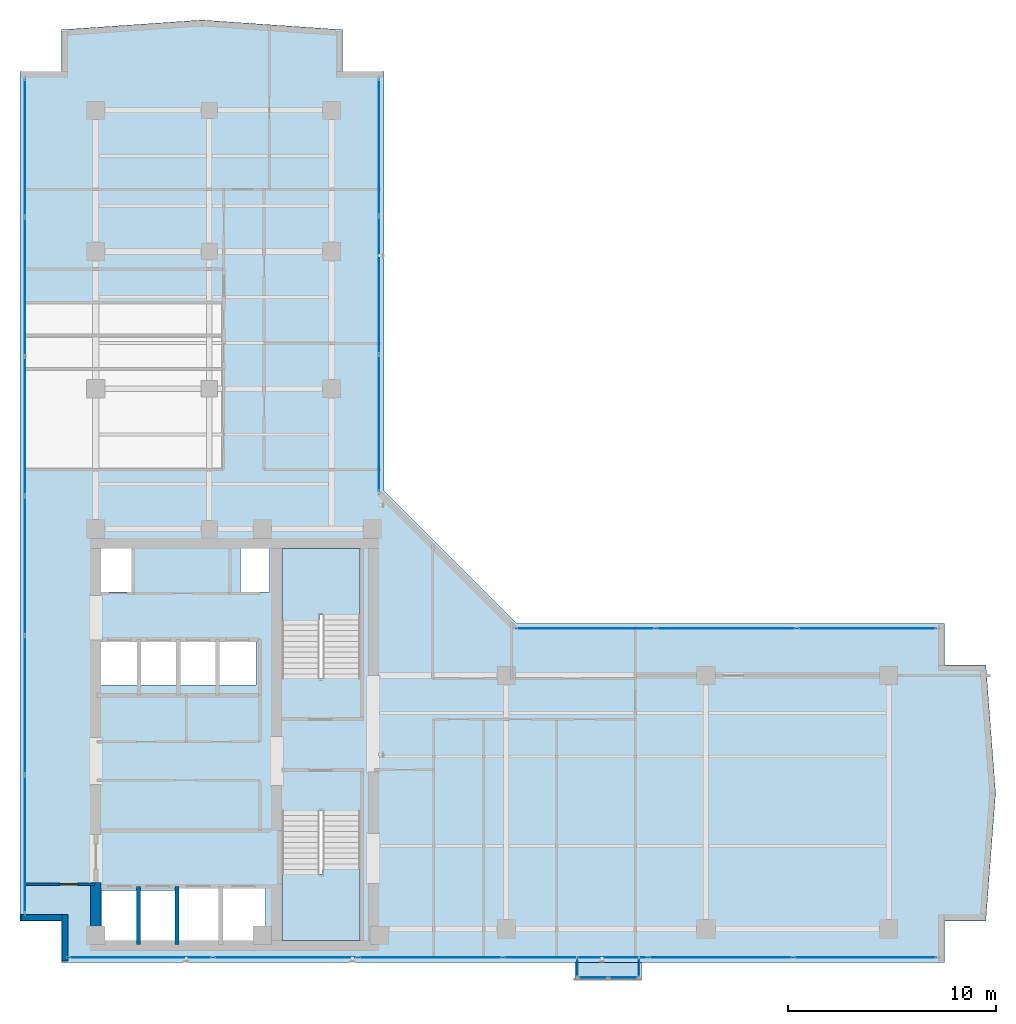
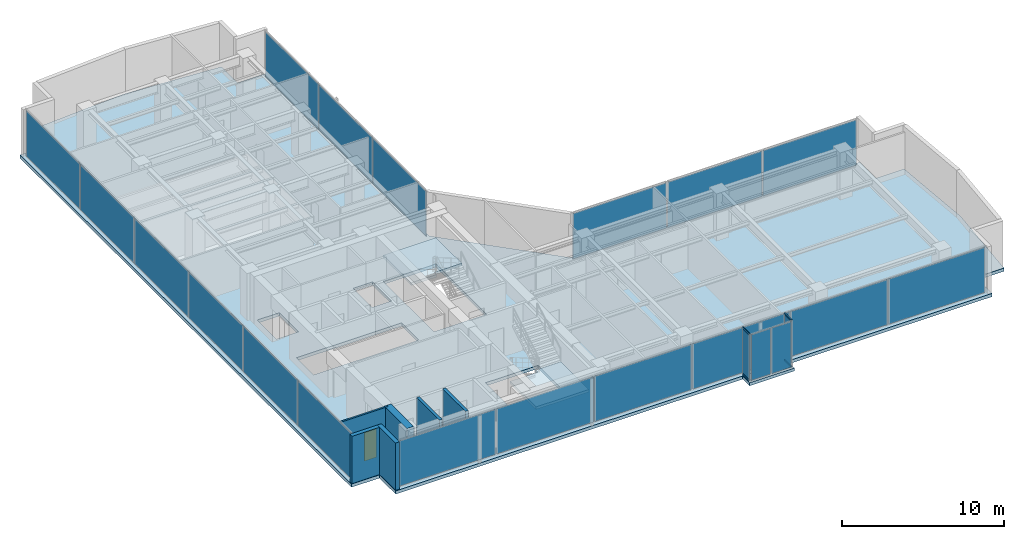
# One storey, part 16 of 23: 22 plates, 6 walls, 4 members, 4 slabs, 1 door, 1 opening, 9 elements without a shape of their own.
"""IFC4 building model written with IfcOpenShell, lengths in metres."""

from ifc_helpers import new_model, si_unit, direction, frame, frame_2d, origin, origin_with_axes, origin_2d, place, context, subcontext, project, spatial, polyline, rectangle, hollow_rectangle, outline, extrude, source, transform, mapped, material, layer, layer_set, material_profile, profile_set, type_object, element, fill, aggregate, save


model = new_model("IFC4")

# Units and contexts
model_context = context("Model", 3, precision=1e-05, world=origin(), true_north=direction((0.0, 1.0)))
body_context = subcontext(model_context, "Body", "Model", "MODEL_VIEW")
ifc_project = project(units=[si_unit("LENGTHUNIT", "METRE"), si_unit("AREAUNIT", "SQUARE_METRE"), si_unit("VOLUMEUNIT", "CUBIC_METRE"), si_unit("PLANEANGLEUNIT", "RADIAN"), si_unit("MASSUNIT", "GRAM", prefix="KILO")], contexts=[model_context])

# Site, building, storey
site_placement = place(None, origin())
site = spatial("IfcSite", under=ifc_project, at=site_placement, CompositionType="ELEMENT")
building_placement = place(site_placement, origin())
building = spatial("IfcBuilding", under=site, at=building_placement, Name="Kolvaren Waterfront Exchange", CompositionType="ELEMENT")
storey_placement = place(building_placement, frame((0.0, 0.0, 297.0)))
storey = spatial("IfcBuildingStorey", under=building, at=storey_placement, Name="L76", CompositionType="ELEMENT", Elevation=297.0)

# Curtain wall, members
ifc_material_1 = material(Name="Anodised bronze aluminium 6063-T6", Category="aluminium")
ifc_layer_1 = layer(ifc_material_1, 0.219970703125, Name="Anodised bronze aluminium 6063-T6")
ifc_layer_set_1 = layer_set([ifc_layer_1], Name="Anodised bronze aluminium 6063-T6")
curtain_wall_type_1 = type_object("IfcCurtainWallType", Name="ARC-CW-SYS3", PredefinedType="USERDEFINED", material=ifc_layer_set_1)
curtain_wall_1_placement = place(storey_placement, origin())
curtain_wall_1 = element("IfcCurtainWall", 1, at=curtain_wall_1_placement, inside=storey, type_object=curtain_wall_type_1, Name="L76 stick curtain wall CW3 (CW-L76-BOX-W)", ObjectType="STICK CURTAIN WALL", PredefinedType="USERDEFINED")
ifc_material_profile = material_profile(ifc_material_1, hollow_rectangle(XDim=0.06494140625, YDim=0.1298828125, WallThickness=0.00390625, at=origin_2d()), Name="ALU-TRN-130x65x4")
ifc_profile_set = profile_set([ifc_material_profile], Name="Anodised bronze aluminium 6063-T6")
member_type = type_object("IfcMemberType", Name="ARC-CWT-130", PredefinedType="USERDEFINED", material=ifc_profile_set)
shared_shape_1 = source(origin_with_axes(), body_context, "Body", "SweptSolid", [
    extrude(hollow_rectangle(XDim=0.06494140625, YDim=0.1298828125, WallThickness=0.00390625, at=origin_2d()), origin(), (0.0, 0.0, 1.0), 0.829833984375),
])
member_1_placement = place(storey_placement, frame((30.610107421875, 3.764892578125, 0.032470703125), z_axis=(0.0, -1.0, 0.0), x_axis=(1.0, 0.0, 0.0)))
member_1 = element("IfcMember", 2, at=member_1_placement, type_object=member_type, Name="CW3 transom 1.1", ObjectType="TRANSOM", PredefinedType="USERDEFINED", context=body_context, shape_type="MappedRepresentation", body=[
    mapped(shared_shape_1, transform((0.0, 0.0, 0.0), x_axis=(1.0, 0.0, 0.0), y_axis=(0.0, 1.0, 0.0), z_axis=(0.0, 0.0, 1.0), scale=1.0)),
])
member_2_placement = place(storey_placement, frame((30.610107421875, 3.764892578125, 3.527587890625), z_axis=(0.0, -1.0, 0.0), x_axis=(1.0, 0.0, 0.0)))
member_2 = element("IfcMember", 3, at=member_2_placement, type_object=member_type, Name="CW3 transom 1.2", ObjectType="TRANSOM", PredefinedType="USERDEFINED", context=body_context, shape_type="MappedRepresentation", body=[
    mapped(shared_shape_1, transform((0.0, 0.0, 0.0), x_axis=(1.0, 0.0, 0.0), y_axis=(0.0, 1.0, 0.0), z_axis=(0.0, 0.0, 1.0), scale=1.0)),
])

curtain_wall_2_placement = place(storey_placement, origin())
curtain_wall_2 = element("IfcCurtainWall", 4, at=curtain_wall_2_placement, inside=storey, type_object=curtain_wall_type_1, Name="L76 stick curtain wall CW3 (CW-L76-BOX-E)", ObjectType="STICK CURTAIN WALL", PredefinedType="USERDEFINED")
member_3_placement = place(storey_placement, frame((33.590087890625, 2.93505859375, 0.032470703125), z_axis=(0.0, 1.0, 0.0), x_axis=(-1.0, 0.0, 0.0)))
member_3 = element("IfcMember", 5, at=member_3_placement, type_object=member_type, Name="CW3 transom 1.1", ObjectType="TRANSOM", PredefinedType="USERDEFINED", context=body_context, shape_type="MappedRepresentation", body=[
    mapped(shared_shape_1, transform((0.0, 0.0, 0.0), x_axis=(1.0, 0.0, 0.0), y_axis=(0.0, 1.0, 0.0), z_axis=(0.0, 0.0, 1.0), scale=1.0)),
])
member_4_placement = place(storey_placement, frame((33.590087890625, 2.93505859375, 3.527587890625), z_axis=(0.0, 1.0, 0.0), x_axis=(-1.0, 0.0, 0.0)))
member_4 = element("IfcMember", 6, at=member_4_placement, type_object=member_type, Name="CW3 transom 1.2", ObjectType="TRANSOM", PredefinedType="USERDEFINED", context=body_context, shape_type="MappedRepresentation", body=[
    mapped(shared_shape_1, transform((0.0, 0.0, 0.0), x_axis=(1.0, 0.0, 0.0), y_axis=(0.0, 1.0, 0.0), z_axis=(0.0, 0.0, 1.0), scale=1.0)),
])

# Stair, slab
ifc_material_2 = material(Name="Concrete C40/50", Category="concrete")
stair_type = type_object("IfcStairType", Name="ARC-STAIR-3800", PredefinedType="HALF_TURN_STAIR", material=ifc_material_2)
stair_1_placement = place(storey_placement, origin())
stair_1 = element("IfcStair", 7, at=stair_1_placement, inside=storey, type_object=stair_type, Name="L76 Smoke-proof exit stair ST1", PredefinedType="HALF_TURN_STAIR")
ifc_layer_2 = layer(ifc_material_2, 0.199951171875, Name="Concrete C40/50")
ifc_layer_set_2 = layer_set([ifc_layer_2], Name="Concrete C40/50")
slab_type_1 = type_object("IfcSlabType", Name="STR-LANDING-200", PredefinedType="LANDING", material=ifc_layer_set_2)
slab_1_placement = place(storey_placement, frame((0.0, 0.0, 1.77587890625)))
slab_1 = element("IfcSlab", 8, at=slab_1_placement, type_object=slab_type_1, Name="ST1 landing 1", PredefinedType="LANDING", context=body_context, shape_type="SweptSolid", body=[
    extrude(outline(polyline([(16.39990234375, 7.840087890625), (16.39990234375, 4.64990234375), (20.159912109375, 4.64990234375), (20.159912109375, 8.10009765625), (18.360107421875, 8.10009765625), (18.360107421875, 7.840087890625), (16.39990234375, 7.840087890625)])), origin(), (0.0, 0.0, 1.0), 0.2001953125),
])
aggregate(stair_1, [slab_1])

stair_2_placement = place(storey_placement, origin())
stair_2 = element("IfcStair", 9, at=stair_2_placement, inside=storey, type_object=stair_type, Name="L76 Smoke-proof exit stair ST2", PredefinedType="HALF_TURN_STAIR")
slab_2_placement = place(storey_placement, frame((0.0, 0.0, 1.77587890625)))
slab_2 = element("IfcSlab", 10, at=slab_2_placement, type_object=slab_type_1, Name="ST2 landing 1", PredefinedType="LANDING", context=body_context, shape_type="SweptSolid", body=[
    extrude(outline(polyline([(20.159912109375, 20.31005859375), (20.159912109375, 23.5), (16.39990234375, 23.5), (16.39990234375, 20.050048828125), (18.199951171875, 20.050048828125), (18.199951171875, 20.31005859375), (20.159912109375, 20.31005859375)])), origin(), (0.0, 0.0, 1.0), 0.2001953125),
])
aggregate(stair_2, [slab_2])

# Slabs
ifc_layer_3 = layer(ifc_material_2, 0.239990234375, Name="Concrete C40/50")
ifc_layer_set_3 = layer_set([ifc_layer_3], Name="Concrete C40/50")
slab_type_2 = type_object("IfcSlabType", Name="STR-SLAB-240", PredefinedType="FLOOR", material=ifc_layer_set_3)
slab_3_placement = place(storey_placement, frame((0.0, 0.0, -0.239990234375)))
element("IfcSlab", 11, at=slab_3_placement, inside=storey, type_object=slab_type_2, Name="L76 structural floor slab", PredefinedType="FLOOR", context=body_context, shape_type="SweptSolid", body=[
    extrude(outline(polyline([(5.800048828125, 3.60009765625), (48.268310546875, 3.60009765625), (48.268310546875, 5.60009765625), (50.268310546875, 5.60009765625), (50.73681640625, 11.752685546875), (50.268310546875, 17.9052734375), (48.268310546875, 17.9052734375), (48.268310546875, 19.9052734375), (27.705322265625, 19.9052734375), (21.305419921875, 26.305419921875), (21.305419921875, 46.468505859375), (19.305419921875, 46.468505859375), (19.305419921875, 48.468505859375), (12.552490234375, 48.936767578125), (5.800048828125, 48.468505859375), (5.800048828125, 46.468505859375), (3.800048828125, 46.468505859375), (3.800048828125, 5.60009765625), (5.800048828125, 5.60009765625), (5.800048828125, 3.60009765625)]), holes=[polyline([(11.320068359375, 7.260009765625), (15.610107421875, 7.260009765625), (15.610107421875, 4.5400390625), (7.719970703125, 4.5400390625), (7.719970703125, 7.06005859375), (11.320068359375, 7.06005859375), (11.320068359375, 7.260009765625)]), polyline([(20.159912109375, 10.89990234375), (20.159912109375, 4.64990234375), (16.39990234375, 4.64990234375), (16.39990234375, 10.89990234375), (20.159912109375, 10.89990234375)]), polyline([(7.669921875, 19.06005859375), (15.159912109375, 19.06005859375), (15.159912109375, 16.93994140625), (7.669921875, 16.93994140625), (7.669921875, 19.06005859375)]), polyline([(16.39990234375, 17.25), (16.39990234375, 23.5), (20.159912109375, 23.5), (20.159912109375, 17.25), (16.39990234375, 17.25)]), polyline([(7.60009765625, 23.780029296875), (9.179931640625, 23.780029296875), (9.179931640625, 21.419921875), (7.60009765625, 21.419921875), (7.60009765625, 23.780029296875)]), polyline([(14.419921875, 23.780029296875), (15.800048828125, 23.780029296875), (15.800048828125, 21.419921875), (14.419921875, 21.419921875), (14.419921875, 23.780029296875)])]), origin(), (0.0, 0.0, 1.0), 0.239990234375),
])
ifc_layer_4 = layer(ifc_material_2, 0.219970703125, Name="Concrete C40/50")
ifc_layer_set_4 = layer_set([ifc_layer_4], Name="Concrete C40/50")
slab_type_3 = type_object("IfcSlabType", Name="STR-TERR-220", PredefinedType="FLOOR", material=ifc_layer_set_4)
slab_4_placement = place(storey_placement, frame((0.0, 0.0, -0.219970703125)))
element("IfcSlab", 12, at=slab_4_placement, inside=storey, type_object=slab_type_3, Name="L76 projecting bay-box floor strip", PredefinedType="FLOOR", context=body_context, shape_type="SweptSolid", body=[
    extrude(outline(polyline([(30.5, 2.75), (33.699951171875, 2.75), (33.699951171875, 3.60009765625), (30.5, 3.60009765625), (30.5, 2.75)])), origin(), (0.0, 0.0, 1.0), 0.219970703125),
])

# Plate
ifc_material_3 = material(Name="Bronze tinted bay-box vision glass", Category="aluminium")
ifc_layer_5 = layer(ifc_material_3, 0.02392578125, Name="Bronze tinted bay-box vision glass")
ifc_layer_set_5 = layer_set([ifc_layer_5], Name="Bronze tinted bay-box vision glass")
plate_type_1 = type_object("IfcPlateType", Name="ARC-CWP-24", PredefinedType="CURTAIN_PANEL", material=ifc_layer_set_5)
shared_shape_2 = source(origin_with_axes(), body_context, "Body", "SweptSolid", [
    extrude(rectangle(XDim=0.830078125, YDim=0.02392578125, at=origin_2d()), origin(), (0.0, 0.0, 1.0), 3.429931640625),
])
plate_1_placement = place(storey_placement, frame((30.610107421875, 3.35009765625, 0.06494140625), z_axis=(0.0, 0.0, 1.0), x_axis=(0.0, -1.0, 0.0)))
plate_1 = element("IfcPlate", 13, at=plate_1_placement, type_object=plate_type_1, Name="CW3 panel 1.1", PredefinedType="CURTAIN_PANEL", context=body_context, shape_type="MappedRepresentation", body=[
    mapped(shared_shape_2, transform((0.0, 0.0, 0.0), x_axis=(1.0, 0.0, 0.0), y_axis=(0.0, 1.0, 0.0), z_axis=(0.0, 0.0, 1.0), scale=1.0)),
])

aggregate(curtain_wall_1, [member_1, member_2, plate_1])

plate_2_placement = place(storey_placement, frame((33.590087890625, 3.35009765625, 0.06494140625), z_axis=(0.0, 0.0, 1.0), x_axis=(0.0, 1.0, 0.0)))
plate_2 = element("IfcPlate", 14, at=plate_2_placement, type_object=plate_type_1, Name="CW3 panel 1.1", PredefinedType="CURTAIN_PANEL", context=body_context, shape_type="MappedRepresentation", body=[
    mapped(shared_shape_2, transform((0.0, 0.0, 0.0), x_axis=(1.0, 0.0, 0.0), y_axis=(0.0, 1.0, 0.0), z_axis=(0.0, 0.0, 1.0), scale=1.0)),
])

aggregate(curtain_wall_2, [member_3, member_4, plate_2])

# Curtain wall, plates
curtain_wall_3_placement = place(storey_placement, origin())
curtain_wall_3 = element("IfcCurtainWall", 15, at=curtain_wall_3_placement, inside=storey, type_object=curtain_wall_type_1, Name="L76 stick curtain wall CW3 (CW-L76-BOX)", ObjectType="STICK CURTAIN WALL", PredefinedType="USERDEFINED")
shared_shape_3 = source(origin_with_axes(), body_context, "Body", "SweptSolid", [
    extrude(rectangle(XDim=1.37744140625, YDim=0.02392578125, at=origin_2d()), origin(), (0.0, 0.0, 1.0), 3.429931640625),
])
plate_3_placement = place(storey_placement, frame((31.373779296875, 2.860107421875, 0.06494140625), z_axis=(0.0, 0.0, 1.0), x_axis=(1.0, 0.0, 0.0)))
plate_3 = element("IfcPlate", 16, at=plate_3_placement, type_object=plate_type_1, Name="CW3 panel 1.1", PredefinedType="CURTAIN_PANEL", context=body_context, shape_type="MappedRepresentation", body=[
    mapped(shared_shape_3, transform((0.0, 0.0, 0.0), x_axis=(1.0, 0.0, 0.0), y_axis=(0.0, 1.0, 0.0), z_axis=(0.0, 0.0, 1.0), scale=1.0)),
])
plate_4_placement = place(storey_placement, frame((32.826171875, 2.860107421875, 0.06494140625), z_axis=(0.0, 0.0, 1.0), x_axis=(1.0, 0.0, 0.0)))
plate_4 = element("IfcPlate", 17, at=plate_4_placement, type_object=plate_type_1, Name="CW3 panel 2.1", PredefinedType="CURTAIN_PANEL", context=body_context, shape_type="MappedRepresentation", body=[
    mapped(shared_shape_3, transform((0.0, 0.0, 0.0), x_axis=(1.0, 0.0, 0.0), y_axis=(0.0, 1.0, 0.0), z_axis=(0.0, 0.0, 1.0), scale=1.0)),
])
aggregate(curtain_wall_3, [plate_3, plate_4])

ifc_layer_6 = layer(ifc_material_1, 0.219970703125, Name="Anodised bronze aluminium 6063-T6")
ifc_layer_set_6 = layer_set([ifc_layer_6], Name="Anodised bronze aluminium 6063-T6")
curtain_wall_type_2 = type_object("IfcCurtainWallType", Name="ARC-CW-SYS1", PredefinedType="USERDEFINED", material=ifc_layer_set_6)
curtain_wall_4_placement = place(storey_placement, origin())
curtain_wall_4 = element("IfcCurtainWall", 18, at=curtain_wall_4_placement, inside=storey, type_object=curtain_wall_type_2, Name="L76 stick curtain wall CW1 (CW-L76-S)", ObjectType="STICK CURTAIN WALL", PredefinedType="USERDEFINED")
ifc_material_4 = material(Name="Bronze solar control vision glass", Category="aluminium")
ifc_layer_7 = layer(ifc_material_4, 0.028076171875, Name="Bronze solar control vision glass")
ifc_layer_set_7 = layer_set([ifc_layer_7], Name="Bronze solar control vision glass")
plate_type_2 = type_object("IfcPlateType", Name="ARC-CWP-28", PredefinedType="CURTAIN_PANEL", material=ifc_layer_set_7)
shared_shape_4 = source(origin_with_axes(), body_context, "Body", "SweptSolid", [
    extrude(rectangle(XDim=6.858154296875, YDim=0.028076171875, at=origin_2d()), origin(), (0.0, 0.0, 1.0), 3.409912109375),
])
plate_5_placement = place(storey_placement, frame((9.609130859375, 3.840087890625, 0.0751953125), z_axis=(0.0, 0.0, 1.0), x_axis=(1.0, 0.0, 0.0)))
plate_5 = element("IfcPlate", 19, at=plate_5_placement, type_object=plate_type_2, Name="CW1 panel 1.1", PredefinedType="CURTAIN_PANEL", context=body_context, shape_type="MappedRepresentation", body=[
    mapped(shared_shape_4, transform((0.0, 0.0, 0.0), x_axis=(1.0, 0.0, 0.0), y_axis=(0.0, 1.0, 0.0), z_axis=(0.0, 0.0, 1.0), scale=1.0)),
])
plate_6_placement = place(storey_placement, frame((44.45947265625, 3.840087890625, 0.0751953125), z_axis=(0.0, 0.0, 1.0), x_axis=(1.0, 0.0, 0.0)))
plate_6 = element("IfcPlate", 20, at=plate_6_placement, type_object=plate_type_2, Name="CW1 panel 6.1", PredefinedType="CURTAIN_PANEL", context=body_context, shape_type="MappedRepresentation", body=[
    mapped(shared_shape_4, transform((0.0, 0.0, 0.0), x_axis=(1.0, 0.0, 0.0), y_axis=(0.0, 1.0, 0.0), z_axis=(0.0, 0.0, 1.0), scale=1.0)),
])
shared_shape_5 = source(origin_with_axes(), body_context, "Body", "SweptSolid", [
    extrude(rectangle(XDim=6.89794921875, YDim=0.028076171875, at=origin_2d()), origin(), (0.0, 0.0, 1.0), 3.409912109375),
])
plate_7_placement = place(storey_placement, frame((16.567138671875, 3.840087890625, 0.0751953125), z_axis=(0.0, 0.0, 1.0), x_axis=(1.0, 0.0, 0.0)))
plate_7 = element("IfcPlate", 21, at=plate_7_placement, type_object=plate_type_2, Name="CW1 panel 2.1", PredefinedType="CURTAIN_PANEL", context=body_context, shape_type="MappedRepresentation", body=[
    mapped(shared_shape_5, transform((0.0, 0.0, 0.0), x_axis=(1.0, 0.0, 0.0), y_axis=(0.0, 1.0, 0.0), z_axis=(0.0, 0.0, 1.0), scale=1.0)),
])
plate_8_placement = place(storey_placement, frame((23.545166015625, 3.840087890625, 0.0751953125), z_axis=(0.0, 0.0, 1.0), x_axis=(1.0, 0.0, 0.0)))
plate_8 = element("IfcPlate", 22, at=plate_8_placement, type_object=plate_type_2, Name="CW1 panel 3.1", PredefinedType="CURTAIN_PANEL", context=body_context, shape_type="MappedRepresentation", body=[
    mapped(shared_shape_5, transform((0.0, 0.0, 0.0), x_axis=(1.0, 0.0, 0.0), y_axis=(0.0, 1.0, 0.0), z_axis=(0.0, 0.0, 1.0), scale=1.0)),
])
plate_9_placement = place(storey_placement, frame((30.523193359375, 3.840087890625, 0.0751953125), z_axis=(0.0, 0.0, 1.0), x_axis=(1.0, 0.0, 0.0)))
plate_9 = element("IfcPlate", 23, at=plate_9_placement, type_object=plate_type_2, Name="CW1 panel 4.1", PredefinedType="CURTAIN_PANEL", context=body_context, shape_type="MappedRepresentation", body=[
    mapped(shared_shape_5, transform((0.0, 0.0, 0.0), x_axis=(1.0, 0.0, 0.0), y_axis=(0.0, 1.0, 0.0), z_axis=(0.0, 0.0, 1.0), scale=1.0)),
])
plate_10_placement = place(storey_placement, frame((37.501220703125, 3.840087890625, 0.0751953125), z_axis=(0.0, 0.0, 1.0), x_axis=(1.0, 0.0, 0.0)))
plate_10 = element("IfcPlate", 24, at=plate_10_placement, type_object=plate_type_2, Name="CW1 panel 5.1", PredefinedType="CURTAIN_PANEL", context=body_context, shape_type="MappedRepresentation", body=[
    mapped(shared_shape_5, transform((0.0, 0.0, 0.0), x_axis=(1.0, 0.0, 0.0), y_axis=(0.0, 1.0, 0.0), z_axis=(0.0, 0.0, 1.0), scale=1.0)),
])
aggregate(curtain_wall_4, [plate_5, plate_7, plate_8, plate_9, plate_10, plate_6])

ifc_material_5 = material(Name="Anodised aluminium 6063-T6", Category="aluminium")
ifc_layer_8 = layer(ifc_material_5, 0.219970703125, Name="Anodised aluminium 6063-T6")
ifc_layer_set_8 = layer_set([ifc_layer_8], Name="Anodised aluminium 6063-T6")
curtain_wall_type_3 = type_object("IfcCurtainWallType", Name="ARC-CW-SYS2", PredefinedType="USERDEFINED", material=ifc_layer_set_8)
curtain_wall_5_placement = place(storey_placement, origin())
curtain_wall_5 = element("IfcCurtainWall", 25, at=curtain_wall_5_placement, inside=storey, type_object=curtain_wall_type_3, Name="L76 stick curtain wall CW2 (CW-L76-W)", ObjectType="STICK CURTAIN WALL", PredefinedType="USERDEFINED")
ifc_material_6 = material(Name="Acoustic laminated vision glass", Category="glass")
ifc_layer_9 = layer(ifc_material_6, 0.031982421875, Name="Acoustic laminated vision glass")
ifc_layer_set_9 = layer_set([ifc_layer_9], Name="Acoustic laminated vision glass")
plate_type_3 = type_object("IfcPlateType", Name="ARC-CWP-32", PredefinedType="CURTAIN_PANEL", material=ifc_layer_set_9)
shared_shape_6 = source(origin_with_axes(), body_context, "Body", "SweptSolid", [
    extrude(rectangle(XDim=6.59130859375, YDim=0.031982421875, at=origin_2d()), origin(), (0.0, 0.0, 1.0), 3.409912109375),
])
plate_11_placement = place(storey_placement, frame((4.0400390625, 9.275634765625, 0.0751953125), z_axis=(0.0, 0.0, 1.0), x_axis=(0.0, 1.0, 0.0)))
plate_11 = element("IfcPlate", 26, at=plate_11_placement, type_object=plate_type_3, Name="CW2 panel 1.1", PredefinedType="CURTAIN_PANEL", context=body_context, shape_type="MappedRepresentation", body=[
    mapped(shared_shape_6, transform((0.0, 0.0, 0.0), x_axis=(1.0, 0.0, 0.0), y_axis=(0.0, 1.0, 0.0), z_axis=(0.0, 0.0, 1.0), scale=1.0)),
])
plate_12_placement = place(storey_placement, frame((4.0400390625, 42.792724609375, 0.0751953125), z_axis=(0.0, 0.0, 1.0), x_axis=(0.0, 1.0, 0.0)))
plate_12 = element("IfcPlate", 27, at=plate_12_placement, type_object=plate_type_3, Name="CW2 panel 6.1", PredefinedType="CURTAIN_PANEL", context=body_context, shape_type="MappedRepresentation", body=[
    mapped(shared_shape_6, transform((0.0, 0.0, 0.0), x_axis=(1.0, 0.0, 0.0), y_axis=(0.0, 1.0, 0.0), z_axis=(0.0, 0.0, 1.0), scale=1.0)),
])
shared_shape_7 = source(origin_with_axes(), body_context, "Body", "SweptSolid", [
    extrude(rectangle(XDim=6.63134765625, YDim=0.031982421875, at=origin_2d()), origin(), (0.0, 0.0, 1.0), 3.409912109375),
])
plate_13_placement = place(storey_placement, frame((4.0400390625, 15.967041015625, 0.0751953125), z_axis=(0.0, 0.0, 1.0), x_axis=(0.0, 1.0, 0.0)))
plate_13 = element("IfcPlate", 28, at=plate_13_placement, type_object=plate_type_3, Name="CW2 panel 2.1", PredefinedType="CURTAIN_PANEL", context=body_context, shape_type="MappedRepresentation", body=[
    mapped(shared_shape_7, transform((0.0, 0.0, 0.0), x_axis=(1.0, 0.0, 0.0), y_axis=(0.0, 1.0, 0.0), z_axis=(0.0, 0.0, 1.0), scale=1.0)),
])
plate_14_placement = place(storey_placement, frame((4.0400390625, 22.678466796875, 0.0751953125), z_axis=(0.0, 0.0, 1.0), x_axis=(0.0, 1.0, 0.0)))
plate_14 = element("IfcPlate", 29, at=plate_14_placement, type_object=plate_type_3, Name="CW2 panel 3.1", PredefinedType="CURTAIN_PANEL", context=body_context, shape_type="MappedRepresentation", body=[
    mapped(shared_shape_7, transform((0.0, 0.0, 0.0), x_axis=(1.0, 0.0, 0.0), y_axis=(0.0, 1.0, 0.0), z_axis=(0.0, 0.0, 1.0), scale=1.0)),
])
plate_15_placement = place(storey_placement, frame((4.0400390625, 29.389892578125, 0.0751953125), z_axis=(0.0, 0.0, 1.0), x_axis=(0.0, 1.0, 0.0)))
plate_15 = element("IfcPlate", 30, at=plate_15_placement, type_object=plate_type_3, Name="CW2 panel 4.1", PredefinedType="CURTAIN_PANEL", context=body_context, shape_type="MappedRepresentation", body=[
    mapped(shared_shape_7, transform((0.0, 0.0, 0.0), x_axis=(1.0, 0.0, 0.0), y_axis=(0.0, 1.0, 0.0), z_axis=(0.0, 0.0, 1.0), scale=1.0)),
])
plate_16_placement = place(storey_placement, frame((4.0400390625, 36.101318359375, 0.0751953125), z_axis=(0.0, 0.0, 1.0), x_axis=(0.0, 1.0, 0.0)))
plate_16 = element("IfcPlate", 31, at=plate_16_placement, type_object=plate_type_3, Name="CW2 panel 5.1", PredefinedType="CURTAIN_PANEL", context=body_context, shape_type="MappedRepresentation", body=[
    mapped(shared_shape_7, transform((0.0, 0.0, 0.0), x_axis=(1.0, 0.0, 0.0), y_axis=(0.0, 1.0, 0.0), z_axis=(0.0, 0.0, 1.0), scale=1.0)),
])
aggregate(curtain_wall_5, [plate_11, plate_13, plate_14, plate_15, plate_16, plate_12])

curtain_wall_6_placement = place(storey_placement, origin())
curtain_wall_6 = element("IfcCurtainWall", 32, at=curtain_wall_6_placement, inside=storey, type_object=curtain_wall_type_2, Name="L76 stick curtain wall CW1 (CW-L76-NE)", ObjectType="STICK CURTAIN WALL", PredefinedType="USERDEFINED")
shared_shape_8 = source(origin_with_axes(), body_context, "Body", "SweptSolid", [
    extrude(rectangle(XDim=6.53759765625, YDim=0.028076171875, at=origin_2d()), origin(), (0.0, 0.0, 1.0), 3.409912109375),
])
plate_17_placement = place(storey_placement, frame((21.065185546875, 29.544189453125, 0.0751953125), z_axis=(0.0, 0.0, 1.0), x_axis=(0.0, 1.0, 0.0)))
plate_17 = element("IfcPlate", 33, at=plate_17_placement, type_object=plate_type_2, Name="CW1 panel 1.1", PredefinedType="CURTAIN_PANEL", context=body_context, shape_type="MappedRepresentation", body=[
    mapped(shared_shape_8, transform((0.0, 0.0, 0.0), x_axis=(1.0, 0.0, 0.0), y_axis=(0.0, 1.0, 0.0), z_axis=(0.0, 0.0, 1.0), scale=1.0)),
])
plate_18_placement = place(storey_placement, frame((21.065185546875, 42.819580078125, 0.0751953125), z_axis=(0.0, 0.0, 1.0), x_axis=(0.0, 1.0, 0.0)))
plate_18 = element("IfcPlate", 34, at=plate_18_placement, type_object=plate_type_2, Name="CW1 panel 3.1", PredefinedType="CURTAIN_PANEL", context=body_context, shape_type="MappedRepresentation", body=[
    mapped(shared_shape_8, transform((0.0, 0.0, 0.0), x_axis=(1.0, 0.0, 0.0), y_axis=(0.0, 1.0, 0.0), z_axis=(0.0, 0.0, 1.0), scale=1.0)),
])
shared_shape_9 = source(origin_with_axes(), body_context, "Body", "SweptSolid", [
    extrude(rectangle(XDim=6.57763671875, YDim=0.028076171875, at=origin_2d()), origin(), (0.0, 0.0, 1.0), 3.409912109375),
])
plate_19_placement = place(storey_placement, frame((21.065185546875, 36.181884765625, 0.0751953125), z_axis=(0.0, 0.0, 1.0), x_axis=(0.0, 1.0, 0.0)))
plate_19 = element("IfcPlate", 35, at=plate_19_placement, type_object=plate_type_2, Name="CW1 panel 2.1", PredefinedType="CURTAIN_PANEL", context=body_context, shape_type="MappedRepresentation", body=[
    mapped(shared_shape_9, transform((0.0, 0.0, 0.0), x_axis=(1.0, 0.0, 0.0), y_axis=(0.0, 1.0, 0.0), z_axis=(0.0, 0.0, 1.0), scale=1.0)),
])
aggregate(curtain_wall_6, [plate_17, plate_19, plate_18])

curtain_wall_7_placement = place(storey_placement, origin())
curtain_wall_7 = element("IfcCurtainWall", 36, at=curtain_wall_7_placement, inside=storey, type_object=curtain_wall_type_2, Name="L76 stick curtain wall CW1 (CW-L76-EN)", ObjectType="STICK CURTAIN WALL", PredefinedType="USERDEFINED")
shared_shape_10 = source(origin_with_axes(), body_context, "Body", "SweptSolid", [
    extrude(rectangle(XDim=6.671142578125, YDim=0.028076171875, at=origin_2d()), origin(), (0.0, 0.0, 1.0), 3.409912109375),
])
plate_20_placement = place(storey_placement, frame((31.0107421875, 19.665283203125, 0.0751953125), z_axis=(0.0, 0.0, 1.0), x_axis=(1.0, 0.0, 0.0)))
plate_20 = element("IfcPlate", 37, at=plate_20_placement, type_object=plate_type_2, Name="CW1 panel 1.1", PredefinedType="CURTAIN_PANEL", context=body_context, shape_type="MappedRepresentation", body=[
    mapped(shared_shape_10, transform((0.0, 0.0, 0.0), x_axis=(1.0, 0.0, 0.0), y_axis=(0.0, 1.0, 0.0), z_axis=(0.0, 0.0, 1.0), scale=1.0)),
])
plate_21_placement = place(storey_placement, frame((44.552978515625, 19.665283203125, 0.0751953125), z_axis=(0.0, 0.0, 1.0), x_axis=(1.0, 0.0, 0.0)))
plate_21 = element("IfcPlate", 38, at=plate_21_placement, type_object=plate_type_2, Name="CW1 panel 3.1", PredefinedType="CURTAIN_PANEL", context=body_context, shape_type="MappedRepresentation", body=[
    mapped(shared_shape_10, transform((0.0, 0.0, 0.0), x_axis=(1.0, 0.0, 0.0), y_axis=(0.0, 1.0, 0.0), z_axis=(0.0, 0.0, 1.0), scale=1.0)),
])
shared_shape_11 = source(origin_with_axes(), body_context, "Body", "SweptSolid", [
    extrude(rectangle(XDim=6.7109375, YDim=0.028076171875, at=origin_2d()), origin(), (0.0, 0.0, 1.0), 3.409912109375),
])
plate_22_placement = place(storey_placement, frame((37.78173828125, 19.665283203125, 0.0751953125), z_axis=(0.0, 0.0, 1.0), x_axis=(1.0, 0.0, 0.0)))
plate_22 = element("IfcPlate", 39, at=plate_22_placement, type_object=plate_type_2, Name="CW1 panel 2.1", PredefinedType="CURTAIN_PANEL", context=body_context, shape_type="MappedRepresentation", body=[
    mapped(shared_shape_11, transform((0.0, 0.0, 0.0), x_axis=(1.0, 0.0, 0.0), y_axis=(0.0, 1.0, 0.0), z_axis=(0.0, 0.0, 1.0), scale=1.0)),
])
aggregate(curtain_wall_7, [plate_20, plate_22, plate_21])

# Walls
ifc_material_7 = material(Name="Precast concrete C40/50", Category="concrete")
ifc_layer_10 = layer(ifc_material_7, 0.280029296875, Name="Precast concrete C40/50")
ifc_layer_set_10 = layer_set([ifc_layer_10], Name="Precast concrete C40/50")
wall_type_1 = type_object("IfcWallType", Name="ARC-EXT-TERR-280", PredefinedType="SOLIDWALL", material=ifc_layer_set_10)
wall_1_placement = place(storey_placement, frame((5.9599609375, 3.659912109375, 0.0), z_axis=(0.0, 0.0, 1.0), x_axis=(0.0, 1.0, 0.0)))
element("IfcWall", 40, at=wall_1_placement, inside=storey, type_object=wall_type_1, Name="L76 notched corner spandrel pier SW-A", PredefinedType="SOLIDWALL", context=body_context, shape_type="SweptSolid", body=[
    extrude(rectangle(XDim=2.239990234375, YDim=0.280029296875, at=frame_2d((1.1201171875, 0.0))), origin(), (0.0, 0.0, 1.0), 3.56005859375),
])
wall_2_placement = place(storey_placement, frame((3.860107421875, 5.760009765625, 0.0), z_axis=(0.0, 0.0, 1.0), x_axis=(1.0, 0.0, 0.0)))
element("IfcWall", 41, at=wall_2_placement, inside=storey, type_object=wall_type_1, Name="L76 notched corner spandrel pier SW-B", PredefinedType="SOLIDWALL", context=body_context, shape_type="SweptSolid", body=[
    extrude(rectangle(XDim=1.9599609375, YDim=0.280029296875, at=frame_2d((0.97998046875, 0.0))), origin(), (0.0, 0.0, 1.0), 3.56005859375),
])

# Wall, opening, door
ifc_material_8 = material(Name="Acoustic gypsum steel stud", Category="steel")
ifc_layer_11 = layer(ifc_material_8, 0.125, Name="Acoustic gypsum steel stud")
ifc_layer_set_11 = layer_set([ifc_layer_11], Name="Acoustic gypsum steel stud")
wall_type_2 = type_object("IfcWallType", Name="ARC-PART-125", PredefinedType="PARTITIONING", material=ifc_layer_set_11)
wall_3_placement = place(storey_placement, frame((4.0400390625, 7.35009765625, 0.0), z_axis=(0.0, 0.0, 1.0), x_axis=(1.0, 0.0, 0.0)))
wall_3 = element("IfcWall", 42, at=wall_3_placement, inside=storey, type_object=wall_type_2, Name="L76 interior wall PW-L76-SWC-N", PredefinedType="PARTITIONING", context=body_context, shape_type="SweptSolid", body=[
    extrude(rectangle(XDim=3.35986328125, YDim=0.125, at=frame_2d((1.679931640625, 0.0))), origin(), (0.0, 0.0, 1.0), 3.56005859375),
])
opening_placement = place(wall_3_placement, frame((1.686767578125, 0.0, 0.0)))
opening = element("IfcOpeningElement", 43, at=opening_placement, cuts=wall_3, Name="Opening D01", PredefinedType="OPENING", context=body_context, shape_type="SweptSolid", body=[
    extrude(rectangle(XDim=0.85009765625, YDim=2.14990234375, at=frame_2d((0.425048828125, 1.074951171875))), frame((0.0, 0.072509765625, 0.0), z_axis=(0.0, -1.0, 0.0), x_axis=(1.0, 0.0, 0.0)), (0.0, 0.0, 1.0), 0.14501953125),
])
ifc_material_9 = material(Name="Oak veneer timber leaf", Category="wood")
door_type = type_object("IfcDoorType", Name="ARC-DR-900", OperationType="NOTDEFINED", PredefinedType="DOOR", material=ifc_material_9)
door_placement = place(opening_placement, origin())
door = element("IfcDoor", 44, at=door_placement, inside=storey, type_object=door_type, Name="L76 door DR-L76-SWC-D (D01)", OperationType="SINGLE_SWING_RIGHT", OverallHeight=2.14990234375, OverallWidth=0.85009765625, PredefinedType="DOOR", context=body_context, shape_type="SweptSolid", body=[
    extrude(rectangle(XDim=0.85009765625, YDim=2.14990234375, at=frame_2d((0.425048828125, 1.074951171875))), frame((0.0, 0.02490234375, 0.0), z_axis=(0.0, -1.0, 0.0), x_axis=(1.0, 0.0, 0.0)), (0.0, 0.0, 1.0), 0.050048828125),
])
fill(opening, door)

# Walls
ifc_layer_12 = layer(ifc_material_2, 0.199951171875, Name="Concrete C40/50")
ifc_layer_set_12 = layer_set([ifc_layer_12], Name="Concrete C40/50")
wall_type_3 = type_object("IfcWallType", Name="ARC-SHAFT-200", PredefinedType="PARTITIONING", material=ifc_layer_set_12)
for number, where, z_axis, x_axis, name in (
    (45, (9.5, 4.449951171875, 0.0), (0.0, 0.0, 1.0), (0.0, 1.0, 0.0), "L76 interior wall PW-L76-SH1-DIV-95"),
    (46, (11.360107421875, 4.449951171875, 0.0), (0.0, 0.0, 1.0), (0.0, 1.0, 0.0), "L76 interior wall PW-L76-SH1-DIV-113"),
):
    element("IfcWall", number, at=place(storey_placement, frame(where, z_axis=z_axis, x_axis=x_axis)), inside=storey, type_object=wall_type_3, Name=name, PredefinedType="PARTITIONING", context=body_context, shape_type="SweptSolid", body=[
        extrude(rectangle(XDim=2.800048828125, YDim=0.199951171875, at=frame_2d((1.39990234375, 0.0))), origin(), (0.0, 0.0, 1.0), 3.56005859375),
    ])
ifc_material_10 = material(Name="Concrete C50/60", Category="concrete")
ifc_layer_13 = layer(ifc_material_10, 0.5, Name="Concrete C50/60")
ifc_layer_set_13 = layer_set([ifc_layer_13], Name="Concrete C50/60")
wall_type_4 = type_object("IfcWallType", Name="STR-CWALL-500", PredefinedType="SHEAR", material=ifc_layer_set_13)
wall_4_placement = place(storey_placement, frame((7.449951171875, 4.64990234375, 0.0), z_axis=(0.0, 0.0, 1.0), x_axis=(0.0, 1.0, 0.0)))
element("IfcWall", 47, at=wall_4_placement, inside=storey, type_object=wall_type_4, Name="L76 rear-core shear wall W1", PredefinedType="SHEAR", context=body_context, shape_type="SweptSolid", body=[
    extrude(rectangle(XDim=2.800048828125, YDim=0.5, at=frame_2d((1.39990234375, 0.0))), origin(), (0.0, 0.0, 1.0), 3.56005859375),
])

save(model, "model.ifc")
